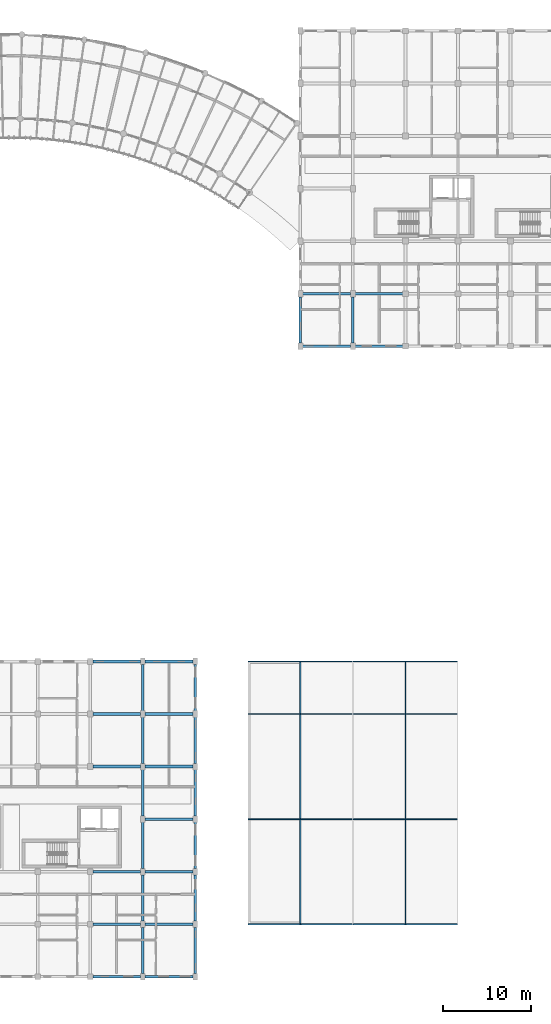
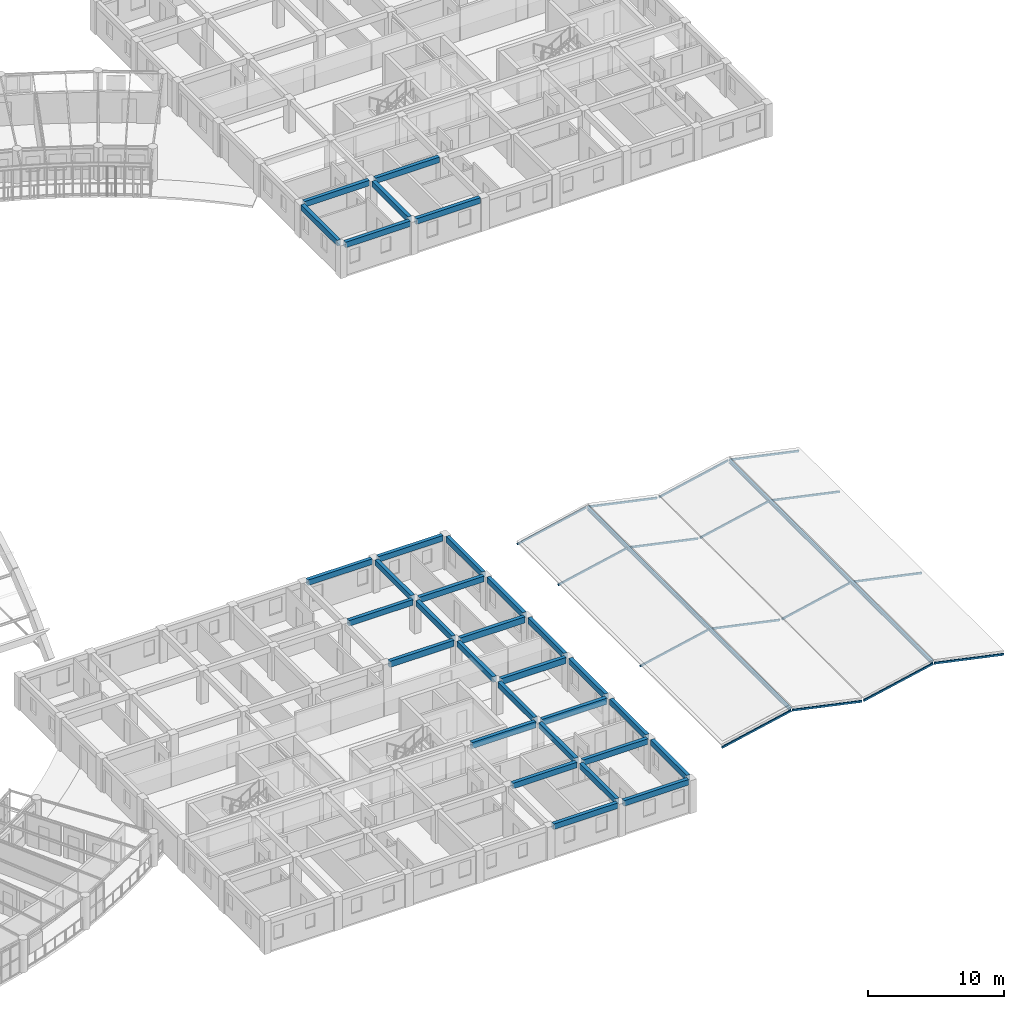
# One storey, part 52 of 123: 33 beams, 16 members.
"""IFC4 building model written with IfcOpenShell, lengths in metres."""

from ifc_helpers import new_model, si_unit, direction, frame, origin, origin_2d, place, context, subcontext, project, spatial, rectangle, hollow_rectangle, i_section, extrude, material, material_profile, profile_set, type_object, element, save


model = new_model("IFC4")

# Units and contexts
model_context = context("Model", 3, precision=1e-05, world=origin(), true_north=direction((0.0, 1.0)))
body_context = subcontext(model_context, "Body", "Model", "MODEL_VIEW")
ifc_project = project(units=[si_unit("LENGTHUNIT", "METRE"), si_unit("AREAUNIT", "SQUARE_METRE"), si_unit("VOLUMEUNIT", "CUBIC_METRE"), si_unit("PLANEANGLEUNIT", "RADIAN"), si_unit("MASSUNIT", "GRAM", prefix="KILO"), si_unit("POWERUNIT", "WATT"), si_unit("THERMODYNAMICTEMPERATUREUNIT", "KELVIN")], contexts=[model_context])

# Site, building, storey
site_placement = place(None, origin())
site = spatial("IfcSite", under=ifc_project, at=site_placement, CompositionType="ELEMENT")
building_placement = place(site_placement, origin())
building = spatial("IfcBuilding", under=site, at=building_placement, Name="Ruvembo Vaulted Housing Court", CompositionType="ELEMENT")
storey_placement = place(building_placement, frame((0.0, 0.0, 7.699951171875)))
storey = spatial("IfcBuildingStorey", under=building, at=storey_placement, Name="L02", CompositionType="ELEMENT", Elevation=7.699951171875)

# Beams
ifc_material_1 = material(Name="Concrete C35/45", Category="concrete")
ifc_material_profile_1 = material_profile(ifc_material_1, rectangle(XDim=0.300048828125, YDim=0.550048828125, at=origin_2d()), Name="RC 300x550")
ifc_profile_set_1 = profile_set([ifc_material_profile_1], Name="Concrete C35/45")
beam_type_1 = type_object("IfcBeamType", Name="BM-RC-300x550", PredefinedType="BEAM", material=ifc_profile_set_1)
beam_1_placement = place(storey_placement, frame((126.31005859375, 12.0, 2.679931640625), z_axis=(1.0, 0.0, 0.0), x_axis=(0.0, 1.0, 0.0)))
element("IfcBeam", 1, at=beam_1_placement, inside=storey, type_object=beam_type_1, Name="L02 Grid Beam X #1449", PredefinedType="BEAM", context=body_context, shape_type="SweptSolid", body=[
    extrude(rectangle(XDim=0.300048828125, YDim=0.550048828125, at=origin_2d()), origin(), (0.0, 0.0, 1.0), 5.429931640625),
])
for number, where, z_axis, x_axis, name in (
    (2, (132.260009765625, 12.0, 2.679931640625), (1.0, 0.0, 0.0), (0.0, 1.0, 0.0), "L02 Grid Beam X #1450"),
    (3, (132.260009765625, 18.0, 2.679931640625), (1.0, 0.0, 0.0), (0.0, 1.0, 0.0), "L02 Grid Beam X #1457"),
):
    element("IfcBeam", number, at=place(storey_placement, frame(where, z_axis=z_axis, x_axis=x_axis)), inside=storey, type_object=beam_type_1, Name=name, PredefinedType="BEAM", context=body_context, shape_type="SweptSolid", body=[
        extrude(rectangle(XDim=0.300048828125, YDim=0.550048828125, at=origin_2d()), origin(), (0.0, 0.0, 1.0), 5.47998046875),
    ])
beam_2_placement = place(storey_placement, frame((126.31005859375, 24.0, 2.679931640625), z_axis=(1.0, 0.0, 0.0), x_axis=(0.0, 1.0, 0.0)))
element("IfcBeam", 4, at=beam_2_placement, inside=storey, type_object=beam_type_1, Name="L02 Grid Beam X #1463", PredefinedType="BEAM", context=body_context, shape_type="SweptSolid", body=[
    extrude(rectangle(XDim=0.300048828125, YDim=0.550048828125, at=origin_2d()), origin(), (0.0, 0.0, 1.0), 5.429931640625),
])
beam_3_placement = place(storey_placement, frame((132.260009765625, 24.0, 2.679931640625), z_axis=(1.0, 0.0, 0.0), x_axis=(0.0, 1.0, 0.0)))
element("IfcBeam", 5, at=beam_3_placement, inside=storey, type_object=beam_type_1, Name="L02 Grid Beam X #1464", PredefinedType="BEAM", context=body_context, shape_type="SweptSolid", body=[
    extrude(rectangle(XDim=0.300048828125, YDim=0.550048828125, at=origin_2d()), origin(), (0.0, 0.0, 1.0), 5.47998046875),
])
ifc_material_2 = material(Name="Steel S355J2", Category="steel")
ifc_material_profile_2 = material_profile(ifc_material_2, i_section(OverallWidth=0.159912109375, OverallDepth=0.330078125, WebThickness=0.007568359375, FlangeThickness=0.011474609375, FilletRadius=0.01806640625, at=origin_2d()), Name="IPE 330")
ifc_profile_set_2 = profile_set([ifc_material_profile_2], Name="Steel S355J2")
beam_type_2 = type_object("IfcBeamType", Name="BM-ST-IPE330", PredefinedType="BEAM", material=ifc_profile_set_2)
for number, where, z_axis, x_axis, name in (
    (6, (150.0, 6.080078125, 1.095458984375), (0.0, 1.0, 0.0), (-1.0, 0.0, 0.0), "Shops Folded Roof Ridge Beam 1"),
    (7, (162.0, 6.080078125, 1.095458984375), (0.0, 1.0, 0.0), (-1.0, 0.0, 0.0), "Shops Folded Roof Ridge Beam 2"),
):
    element("IfcBeam", number, at=place(storey_placement, frame(where, z_axis=z_axis, x_axis=x_axis)), inside=storey, type_object=beam_type_2, Name=name, PredefinedType="BEAM", context=body_context, shape_type="SweptSolid", body=[
        extrude(i_section(OverallWidth=0.159912109375, OverallDepth=0.330078125, WebThickness=0.007568359375, FlangeThickness=0.011474609375, FilletRadius=0.01806640625, at=origin_2d()), origin(), (0.0, 0.0, 1.0), 29.83984375),
    ])

# Members
ifc_material_profile_3 = material_profile(ifc_material_2, hollow_rectangle(XDim=0.10009765625, YDim=0.179931640625, WallThickness=0.008056640625, InnerFilletRadius=0.008056640625, OuterFilletRadius=0.01611328125, at=origin_2d()), Name="RHS 180x100x8")
ifc_profile_set_3 = profile_set([ifc_material_profile_3], Name="Steel S355J2")
member_type = type_object("IfcMemberType", Name="MEM-RAF-RHS180", PredefinedType="RAFTER", material=ifc_profile_set_3)
for number, where, z_axis, x_axis, name in (
    (8, (144.080078125, 6.0, -0.139892578125), (0.977821487878, 0.0, 0.209440057878), (0.0, 1.0, 0.0), "Shops Folded Rafter 1A Y6"),
    (9, (150.06005859375, 6.0, 1.115234375), (0.977821487878, 0.0, -0.209440057878), (0.0, 1.0, 0.0), "Shops Folded Rafter 1B Y6"),
    (10, (144.080078125, 18.0, -0.139892578125), (0.977821487878, 0.0, 0.209440057878), (0.0, 1.0, 0.0), "Shops Folded Rafter 1A Y18"),
    (11, (150.06005859375, 18.0, 1.115234375), (0.977821487878, 0.0, -0.209440057878), (0.0, 1.0, 0.0), "Shops Folded Rafter 1B Y18"),
    (12, (144.080078125, 30.0, -0.139892578125), (0.977821487878, 0.0, 0.209440057878), (0.0, 1.0, 0.0), "Shops Folded Rafter 1A Y30"),
    (13, (150.06005859375, 30.0, 1.115234375), (0.977821487878, 0.0, -0.209440057878), (0.0, 1.0, 0.0), "Shops Folded Rafter 1B Y30"),
    (14, (144.080078125, 36.0, -0.139892578125), (0.977821487878, 0.0, 0.209440057878), (0.0, 1.0, 0.0), "Shops Folded Rafter 1A Y36"),
    (15, (150.06005859375, 36.0, 1.115234375), (0.977821487878, 0.0, -0.209440057878), (0.0, 1.0, 0.0), "Shops Folded Rafter 1B Y36"),
    (16, (156.080078125, 6.0, -0.139892578125), (0.977821487878, 0.0, 0.209440057878), (0.0, 1.0, 0.0), "Shops Folded Rafter 2A Y6"),
    (17, (162.06005859375, 6.0, 1.115234375), (0.977821487878, 0.0, -0.209440057878), (0.0, 1.0, 0.0), "Shops Folded Rafter 2B Y6"),
    (18, (156.080078125, 18.0, -0.139892578125), (0.977821487878, 0.0, 0.209440057878), (0.0, 1.0, 0.0), "Shops Folded Rafter 2A Y18"),
    (19, (162.06005859375, 18.0, 1.115234375), (0.977821487878, 0.0, -0.209440057878), (0.0, 1.0, 0.0), "Shops Folded Rafter 2B Y18"),
    (20, (156.080078125, 30.0, -0.139892578125), (0.977821487878, 0.0, 0.209440057878), (0.0, 1.0, 0.0), "Shops Folded Rafter 2A Y30"),
    (21, (162.06005859375, 30.0, 1.115234375), (0.977821487878, 0.0, -0.209440057878), (0.0, 1.0, 0.0), "Shops Folded Rafter 2B Y30"),
    (22, (156.080078125, 36.0, -0.139892578125), (0.977821487878, 0.0, 0.209440057878), (0.0, 1.0, 0.0), "Shops Folded Rafter 2A Y36"),
    (23, (162.06005859375, 36.0, 1.115234375), (0.977821487878, 0.0, -0.209440057878), (0.0, 1.0, 0.0), "Shops Folded Rafter 2B Y36"),
):
    element("IfcMember", number, at=place(storey_placement, frame(where, z_axis=z_axis, x_axis=x_axis)), inside=storey, type_object=member_type, Name=name, PredefinedType="RAFTER", context=body_context, shape_type="SweptSolid", body=[
        extrude(hollow_rectangle(XDim=0.10009765625, YDim=0.179931640625, WallThickness=0.008056640625, InnerFilletRadius=0.008056640625, OuterFilletRadius=0.01611328125, at=origin_2d()), origin(), (0.0, 0.0, 1.0), 5.99267578125),
    ])

# Beams
ifc_material_profile_4 = material_profile(ifc_material_1, rectangle(XDim=0.300048828125, YDim=0.5, at=origin_2d()), Name="RC 300x500")
ifc_profile_set_4 = profile_set([ifc_material_profile_4], Name="Concrete C35/45")
beam_type_3 = type_object("IfcBeamType", Name="SP-RC-300x500", PredefinedType="SPANDREL", material=ifc_profile_set_4)
beam_4_placement = place(storey_placement, frame((126.31005859375, 0.0, 2.705078125), z_axis=(1.0, 0.0, 0.0), x_axis=(0.0, 1.0, 0.0)))
element("IfcBeam", 24, at=beam_4_placement, inside=storey, type_object=beam_type_3, Name="L02 Grid Beam X #1425", PredefinedType="SPANDREL", context=body_context, shape_type="SweptSolid", body=[
    extrude(rectangle(XDim=0.300048828125, YDim=0.5, at=origin_2d()), origin(), (0.0, 0.0, 1.0), 5.429931640625),
])
beam_5_placement = place(storey_placement, frame((132.260009765625, 0.0, 2.705078125), z_axis=(1.0, 0.0, 0.0), x_axis=(0.0, 1.0, 0.0)))
element("IfcBeam", 25, at=beam_5_placement, inside=storey, type_object=beam_type_3, Name="L02 Grid Beam X #1426", PredefinedType="SPANDREL", context=body_context, shape_type="SweptSolid", body=[
    extrude(rectangle(XDim=0.300048828125, YDim=0.5, at=origin_2d()), origin(), (0.0, 0.0, 1.0), 5.47998046875),
])
beam_6_placement = place(storey_placement, frame((126.31005859375, 6.0, 2.705078125), z_axis=(1.0, 0.0, 0.0), x_axis=(0.0, 1.0, 0.0)))
element("IfcBeam", 26, at=beam_6_placement, inside=storey, type_object=beam_type_3, Name="L02 Grid Beam X #1437", PredefinedType="SPANDREL", context=body_context, shape_type="SweptSolid", body=[
    extrude(rectangle(XDim=0.300048828125, YDim=0.5, at=origin_2d()), origin(), (0.0, 0.0, 1.0), 5.429931640625),
])
beam_7_placement = place(storey_placement, frame((132.260009765625, 6.0, 2.705078125), z_axis=(1.0, 0.0, 0.0), x_axis=(0.0, 1.0, 0.0)))
element("IfcBeam", 27, at=beam_7_placement, inside=storey, type_object=beam_type_3, Name="L02 Grid Beam X #1438", PredefinedType="SPANDREL", context=body_context, shape_type="SweptSolid", body=[
    extrude(rectangle(XDim=0.300048828125, YDim=0.5, at=origin_2d()), origin(), (0.0, 0.0, 1.0), 5.47998046875),
])
beam_8_placement = place(storey_placement, frame((126.31005859375, 30.0, 2.705078125), z_axis=(1.0, 0.0, 0.0), x_axis=(0.0, 1.0, 0.0)))
element("IfcBeam", 28, at=beam_8_placement, inside=storey, type_object=beam_type_3, Name="L02 Grid Beam X #1475", PredefinedType="SPANDREL", context=body_context, shape_type="SweptSolid", body=[
    extrude(rectangle(XDim=0.300048828125, YDim=0.5, at=origin_2d()), origin(), (0.0, 0.0, 1.0), 5.429931640625),
])
beam_9_placement = place(storey_placement, frame((132.260009765625, 30.0, 2.705078125), z_axis=(1.0, 0.0, 0.0), x_axis=(0.0, 1.0, 0.0)))
element("IfcBeam", 29, at=beam_9_placement, inside=storey, type_object=beam_type_3, Name="L02 Grid Beam X #1476", PredefinedType="SPANDREL", context=body_context, shape_type="SweptSolid", body=[
    extrude(rectangle(XDim=0.300048828125, YDim=0.5, at=origin_2d()), origin(), (0.0, 0.0, 1.0), 5.47998046875),
])
beam_10_placement = place(storey_placement, frame((126.31005859375, 36.0, 2.705078125), z_axis=(1.0, 0.0, 0.0), x_axis=(0.0, 1.0, 0.0)))
element("IfcBeam", 30, at=beam_10_placement, inside=storey, type_object=beam_type_3, Name="L02 Grid Beam X #1487", PredefinedType="SPANDREL", context=body_context, shape_type="SweptSolid", body=[
    extrude(rectangle(XDim=0.300048828125, YDim=0.5, at=origin_2d()), origin(), (0.0, 0.0, 1.0), 5.429931640625),
])
for number, where, z_axis, x_axis, name in (
    (31, (132.260009765625, 36.0, 2.705078125), (1.0, 0.0, 0.0), (0.0, 1.0, 0.0), "L02 Grid Beam X #1488"),
    (32, (150.260009765625, 72.0, 2.705078125), (1.0, 0.0, 0.0), (0.0, 1.0, 0.0), "L02 Grid Beam X #1495"),
):
    element("IfcBeam", number, at=place(storey_placement, frame(where, z_axis=z_axis, x_axis=x_axis)), inside=storey, type_object=beam_type_3, Name=name, PredefinedType="SPANDREL", context=body_context, shape_type="SweptSolid", body=[
        extrude(rectangle(XDim=0.300048828125, YDim=0.5, at=origin_2d()), origin(), (0.0, 0.0, 1.0), 5.47998046875),
    ])
beam_11_placement = place(storey_placement, frame((156.260009765625, 72.0, 2.705078125), z_axis=(1.0, 0.0, 0.0), x_axis=(0.0, 1.0, 0.0)))
element("IfcBeam", 33, at=beam_11_placement, inside=storey, type_object=beam_type_3, Name="L02 Grid Beam X #1496", PredefinedType="SPANDREL", context=body_context, shape_type="SweptSolid", body=[
    extrude(rectangle(XDim=0.300048828125, YDim=0.5, at=origin_2d()), origin(), (0.0, 0.0, 1.0), 5.429931640625),
])
beam_12_placement = place(storey_placement, frame((150.260009765625, 78.0, 2.705078125), z_axis=(1.0, 0.0, 0.0), x_axis=(0.0, 1.0, 0.0)))
element("IfcBeam", 34, at=beam_12_placement, inside=storey, type_object=beam_type_3, Name="L02 Grid Beam X #1507", PredefinedType="SPANDREL", context=body_context, shape_type="SweptSolid", body=[
    extrude(rectangle(XDim=0.300048828125, YDim=0.5, at=origin_2d()), origin(), (0.0, 0.0, 1.0), 5.47998046875),
])
beam_13_placement = place(storey_placement, frame((156.260009765625, 78.0, 2.705078125), z_axis=(1.0, 0.0, 0.0), x_axis=(0.0, 1.0, 0.0)))
element("IfcBeam", 35, at=beam_13_placement, inside=storey, type_object=beam_type_3, Name="L02 Grid Beam X #1508", PredefinedType="SPANDREL", context=body_context, shape_type="SweptSolid", body=[
    extrude(rectangle(XDim=0.300048828125, YDim=0.5, at=origin_2d()), origin(), (0.0, 0.0, 1.0), 5.429931640625),
])
for number, where, z_axis, x_axis, name in (
    (36, (132.0, 0.360107421875, 2.705078125), (0.0, 1.0, 0.0), (-1.0, 0.0, 0.0), "L02 Grid Beam Y #1662"),
    (37, (132.0, 6.360107421875, 2.705078125), (0.0, 1.0, 0.0), (-1.0, 0.0, 0.0), "L02 Grid Beam Y #1663"),
    (38, (132.0, 12.360107421875, 2.705078125), (0.0, 1.0, 0.0), (-1.0, 0.0, 0.0), "L02 Grid Beam Y #1664"),
    (39, (132.0, 18.360107421875, 2.705078125), (0.0, 1.0, 0.0), (-1.0, 0.0, 0.0), "L02 Grid Beam Y #1665"),
    (40, (132.0, 24.360107421875, 2.705078125), (0.0, 1.0, 0.0), (-1.0, 0.0, 0.0), "L02 Grid Beam Y #1666"),
    (41, (132.0, 30.360107421875, 2.705078125), (0.0, 1.0, 0.0), (-1.0, 0.0, 0.0), "L02 Grid Beam Y #1667"),
    (42, (138.0, 0.360107421875, 2.705078125), (0.0, 1.0, 0.0), (-1.0, 0.0, 0.0), "L02 Grid Beam Y #1668"),
    (43, (138.0, 6.360107421875, 2.705078125), (0.0, 1.0, 0.0), (-1.0, 0.0, 0.0), "L02 Grid Beam Y #1669"),
    (44, (138.0, 12.360107421875, 2.705078125), (0.0, 1.0, 0.0), (-1.0, 0.0, 0.0), "L02 Grid Beam Y #1670"),
    (45, (138.0, 18.360107421875, 2.705078125), (0.0, 1.0, 0.0), (-1.0, 0.0, 0.0), "L02 Grid Beam Y #1671"),
    (46, (138.0, 24.360107421875, 2.705078125), (0.0, 1.0, 0.0), (-1.0, 0.0, 0.0), "L02 Grid Beam Y #1672"),
    (47, (138.0, 30.360107421875, 2.705078125), (0.0, 1.0, 0.0), (-1.0, 0.0, 0.0), "L02 Grid Beam Y #1673"),
    (48, (150.0, 72.360107421875, 2.705078125), (0.0, 1.0, 0.0), (-1.0, 0.0, 0.0), "L02 Grid Beam Y #1674"),
    (49, (156.0, 72.360107421875, 2.705078125), (0.0, 1.0, 0.0), (-1.0, 0.0, 0.0), "L02 Grid Beam Y #1680"),
):
    element("IfcBeam", number, at=place(storey_placement, frame(where, z_axis=z_axis, x_axis=x_axis)), inside=storey, type_object=beam_type_3, Name=name, PredefinedType="SPANDREL", context=body_context, shape_type="SweptSolid", body=[
        extrude(rectangle(XDim=0.300048828125, YDim=0.5, at=origin_2d()), origin(), (0.0, 0.0, 1.0), 5.27978515625),
    ])

save(model, "model.ifc")
